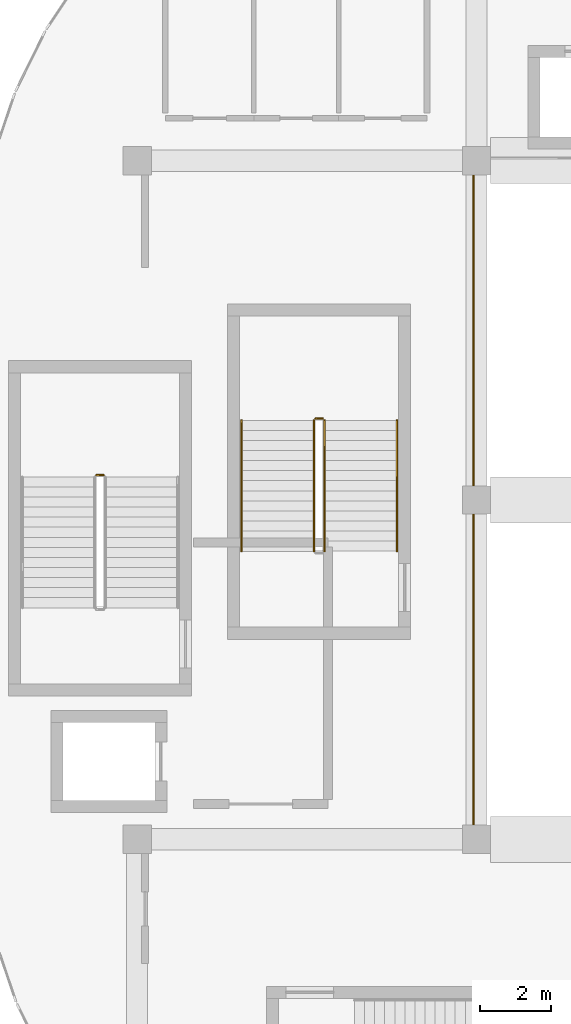
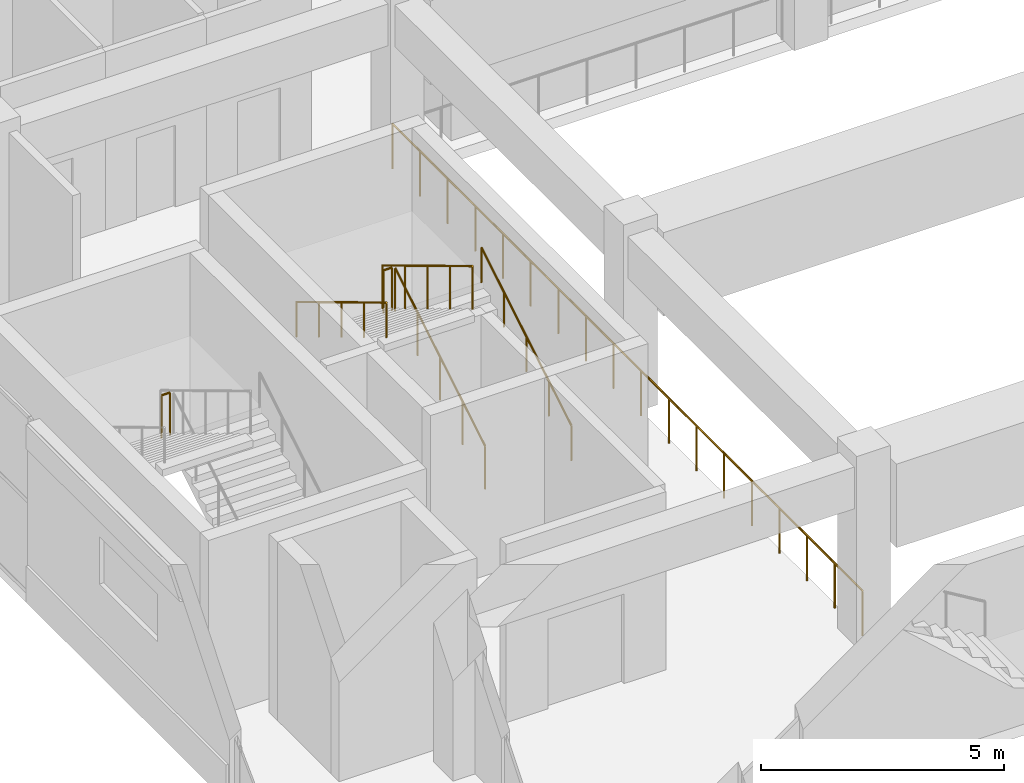
# One storey, part 28 of 33: 7 railings.
"""IFC4 building model written with IfcOpenShell, lengths in metres."""

from ifc_helpers import new_model, si_unit, direction, frame, origin, origin_2d, place, context, subcontext, project, spatial, circle, extrude, material, type_object, element, save


model = new_model("IFC4")

# Units and contexts
model_context = context("Model", 3, precision=1e-05, world=origin(), true_north=direction((0.0, 1.0)))
body_context = subcontext(model_context, "Body", "Model", "MODEL_VIEW")
ifc_project = project(units=[si_unit("LENGTHUNIT", "METRE"), si_unit("AREAUNIT", "SQUARE_METRE"), si_unit("VOLUMEUNIT", "CUBIC_METRE"), si_unit("PLANEANGLEUNIT", "RADIAN"), si_unit("MASSUNIT", "GRAM", prefix="KILO")], contexts=[model_context])

# Site, building, storey
site_placement = place(None, origin())
site = spatial("IfcSite", under=ifc_project, at=site_placement, CompositionType="ELEMENT")
building_placement = place(site_placement, origin())
building = spatial("IfcBuilding", under=site, at=building_placement, Name="Cendralis Terraced Arcade", CompositionType="ELEMENT")
storey_placement = place(building_placement, frame((0.0, 0.0, 19.800048828125)))
storey = spatial("IfcBuildingStorey", under=building, at=storey_placement, Name="L04", CompositionType="ELEMENT", Elevation=19.800048828125)

# Railings
ifc_material = material(Name="Brushed stainless steel AISI 316", Category="steel")
railing_type_1 = type_object("IfcRailingType", Name="RL-STAIR-GUARD-1100", PredefinedType="GUARDRAIL", material=ifc_material)
railing_1_placement = place(storey_placement, frame((8.64990234375, 29.5048828125, 2.39990234375)))
element("IfcRailing", 1, at=railing_1_placement, inside=storey, type_object=railing_type_1, Name="L04 ST-01 stair guard 2", PredefinedType="GUARDRAIL", context=body_context, shape_type="SweptSolid", body=[
    extrude(circle(Radius=0.02392578125, at=origin_2d()), frame((0.0, 0.0, 1.076171875), z_axis=(-1.0, 0.0, 0.0), x_axis=(0.0, -1.0, 0.0)), (0.0, 0.0, 1.0), 0.199951171875),
    extrude(circle(Radius=0.02099609375, at=origin_2d()), origin(), (0.0, 0.0, 1.0), 1.052001953125),
    extrude(circle(Radius=0.02099609375, at=origin_2d()), frame((-0.199951171875, 0.0, 0.0)), (0.0, 0.0, 1.0), 1.052001953125),
])
railing_2_placement = place(storey_placement, frame((14.89990234375, 27.35009765625, 0.17138671875)))
element("IfcRailing", 2, at=railing_2_placement, inside=storey, type_object=railing_type_1, Name="L04 ST-05 stair guard 1", PredefinedType="GUARDRAIL", context=body_context, shape_type="SweptSolid", body=[
    extrude(circle(Radius=0.02392578125, at=origin_2d()), frame((0.0, 0.0, 1.076171875), z_axis=(0.0, 0.856919398105, 0.515450429384), x_axis=(-1.0, 0.0, 0.0)), (0.0, 0.0, 1.0), 4.323486328125),
    extrude(circle(Radius=0.02099609375, at=origin_2d()), origin(), (0.0, 0.0, 1.0), 1.052001953125),
    extrude(circle(Radius=0.02099609375, at=origin_2d()), frame((0.0, 0.92626953125, 0.55712890625)), (0.0, 0.0, 1.0), 1.052001953125),
    extrude(circle(Radius=0.02099609375, at=origin_2d()), frame((0.0, 1.8525390625, 1.1142578125)), (0.0, 0.0, 1.0), 1.052001953125),
    extrude(circle(Radius=0.02099609375, at=origin_2d()), frame((0.0, 2.778564453125, 1.67138671875)), (0.0, 0.0, 1.0), 1.052001953125),
    extrude(circle(Radius=0.02099609375, at=origin_2d()), frame((0.0, 3.704833984375, 2.228515625)), (0.0, 0.0, 1.0), 1.052001953125),
])
railing_3_placement = place(storey_placement, frame((14.85009765625, 31.10498046875, 2.39990234375)))
element("IfcRailing", 3, at=railing_3_placement, inside=storey, type_object=railing_type_1, Name="L04 ST-05 stair guard 2", PredefinedType="GUARDRAIL", context=body_context, shape_type="SweptSolid", body=[
    extrude(circle(Radius=0.02392578125, at=origin_2d()), frame((0.0, 0.0, 1.076171875), z_axis=(-1.0, 0.0, 0.0), x_axis=(0.0, -1.0, 0.0)), (0.0, 0.0, 1.0), 0.2001953125),
    extrude(circle(Radius=0.02099609375, at=origin_2d()), origin(), (0.0, 0.0, 1.0), 1.052001953125),
    extrude(circle(Radius=0.02099609375, at=origin_2d()), frame((-0.2001953125, 0.0, 0.0)), (0.0, 0.0, 1.0), 1.052001953125),
])
railing_4_placement = place(storey_placement, frame((14.60009765625, 31.054931640625, 2.5712890625)))
element("IfcRailing", 4, at=railing_4_placement, inside=storey, type_object=railing_type_1, Name="L04 ST-05 stair guard 3", PredefinedType="GUARDRAIL", context=body_context, shape_type="SweptSolid", body=[
    extrude(circle(Radius=0.02392578125, at=origin_2d()), frame((0.0, 0.0, 1.076171875), z_axis=(0.0, -0.856894455432, 0.515491893485), x_axis=(1.0, 0.0, 0.0)), (0.0, 0.0, 1.0), 4.323486328125),
    extrude(circle(Radius=0.02099609375, at=origin_2d()), origin(), (0.0, 0.0, 1.0), 1.052001953125),
    extrude(circle(Radius=0.02099609375, at=origin_2d()), frame((0.0, -0.92626953125, 0.55712890625)), (0.0, 0.0, 1.0), 1.052001953125),
    extrude(circle(Radius=0.02099609375, at=origin_2d()), frame((0.0, -1.8525390625, 1.1142578125)), (0.0, 0.0, 1.0), 1.052001953125),
    extrude(circle(Radius=0.02099609375, at=origin_2d()), frame((0.0, -2.778564453125, 1.671630859375)), (0.0, 0.0, 1.0), 1.052001953125),
    extrude(circle(Radius=0.02099609375, at=origin_2d()), frame((0.0, -3.704833984375, 2.228759765625)), (0.0, 0.0, 1.0), 1.052001953125),
])
railing_type_2 = type_object("IfcRailingType", Name="RL-STAIR-HAND-900", PredefinedType="HANDRAIL", material=ifc_material)
railing_5_placement = place(storey_placement, frame((16.949951171875, 27.35009765625, 0.17138671875)))
element("IfcRailing", 5, at=railing_5_placement, inside=storey, type_object=railing_type_2, Name="L04 ST-05 stair handrail 1", PredefinedType="HANDRAIL", context=body_context, shape_type="SweptSolid", body=[
    extrude(circle(Radius=0.02392578125, at=origin_2d()), frame((0.0, 0.0, 0.8759765625), z_axis=(0.0, 0.856919398105, 0.515450429384), x_axis=(-1.0, 0.0, 0.0)), (0.0, 0.0, 1.0), 4.323486328125),
    extrude(circle(Radius=0.02099609375, at=origin_2d()), origin(), (0.0, 0.0, 1.0), 0.851806640625),
    extrude(circle(Radius=0.02099609375, at=origin_2d()), frame((0.0, 0.92626953125, 0.55712890625)), (0.0, 0.0, 1.0), 0.851806640625),
    extrude(circle(Radius=0.02099609375, at=origin_2d()), frame((0.0, 1.8525390625, 1.1142578125)), (0.0, 0.0, 1.0), 0.851806640625),
    extrude(circle(Radius=0.02099609375, at=origin_2d()), frame((0.0, 2.778564453125, 1.67138671875)), (0.0, 0.0, 1.0), 0.851806640625),
    extrude(circle(Radius=0.02099609375, at=origin_2d()), frame((0.0, 3.704833984375, 2.228515625)), (0.0, 0.0, 1.0), 0.851806640625),
])
railing_6_placement = place(storey_placement, frame((12.550048828125, 31.054931640625, 2.5712890625)))
element("IfcRailing", 6, at=railing_6_placement, inside=storey, type_object=railing_type_2, Name="L04 ST-05 stair handrail 2", PredefinedType="HANDRAIL", context=body_context, shape_type="SweptSolid", body=[
    extrude(circle(Radius=0.02392578125, at=origin_2d()), frame((0.0, 0.0, 0.8759765625), z_axis=(0.0, -0.856894455432, 0.515491893485), x_axis=(1.0, 0.0, 0.0)), (0.0, 0.0, 1.0), 4.323486328125),
    extrude(circle(Radius=0.02099609375, at=origin_2d()), origin(), (0.0, 0.0, 1.0), 0.851806640625),
    extrude(circle(Radius=0.02099609375, at=origin_2d()), frame((0.0, -0.92626953125, 0.55712890625)), (0.0, 0.0, 1.0), 0.851806640625),
    extrude(circle(Radius=0.02099609375, at=origin_2d()), frame((0.0, -1.8525390625, 1.1142578125)), (0.0, 0.0, 1.0), 0.851806640625),
    extrude(circle(Radius=0.02099609375, at=origin_2d()), frame((0.0, -2.778564453125, 1.671630859375)), (0.0, 0.0, 1.0), 0.851806640625),
    extrude(circle(Radius=0.02099609375, at=origin_2d()), frame((0.0, -3.704833984375, 2.228759765625)), (0.0, 0.0, 1.0), 0.851806640625),
])
railing_type_3 = type_object("IfcRailingType", Name="RL-VOID-BAL-1150", PredefinedType="BALUSTRADE", material=ifc_material)
railing_7_placement = place(storey_placement, frame((19.1201171875, 38.47998046875, 0.0)))
element("IfcRailing", 7, at=railing_7_placement, inside=storey, type_object=railing_type_3, Name="Atrium and Arcade Gallery Balustrade L04-068", PredefinedType="BALUSTRADE", context=body_context, shape_type="SweptSolid", body=[
    extrude(circle(Radius=0.02392578125, at=origin_2d()), frame((0.0, 0.0, 1.1259765625), z_axis=(0.0, -1.0, 0.0), x_axis=(1.0, 0.0, 0.0)), (0.0, 0.0, 1.0), 19.35986328125),
    extrude(circle(Radius=0.02099609375, at=origin_2d()), origin(), (0.0, 0.0, 1.0), 1.101806640625),
    extrude(circle(Radius=0.02099609375, at=origin_2d()), frame((0.0, -1.138916015625, 0.0)), (0.0, 0.0, 1.0), 1.101806640625),
    extrude(circle(Radius=0.02099609375, at=origin_2d()), frame((0.0, -2.277587890625, 0.0)), (0.0, 0.0, 1.0), 1.101806640625),
    extrude(circle(Radius=0.02099609375, at=origin_2d()), frame((0.0, -3.41650390625, 0.0)), (0.0, 0.0, 1.0), 1.101806640625),
    extrude(circle(Radius=0.02099609375, at=origin_2d()), frame((0.0, -4.55517578125, 0.0)), (0.0, 0.0, 1.0), 1.101806640625),
    extrude(circle(Radius=0.02099609375, at=origin_2d()), frame((0.0, -5.694091796875, 0.0)), (0.0, 0.0, 1.0), 1.101806640625),
    extrude(circle(Radius=0.02099609375, at=origin_2d()), frame((0.0, -6.8330078125, 0.0)), (0.0, 0.0, 1.0), 1.101806640625),
    extrude(circle(Radius=0.02099609375, at=origin_2d()), frame((0.0, -7.9716796875, 0.0)), (0.0, 0.0, 1.0), 1.101806640625),
    extrude(circle(Radius=0.02099609375, at=origin_2d()), frame((0.0, -9.110595703125, 0.0)), (0.0, 0.0, 1.0), 1.101806640625),
    extrude(circle(Radius=0.02099609375, at=origin_2d()), frame((0.0, -10.249267578125, 0.0)), (0.0, 0.0, 1.0), 1.101806640625),
    extrude(circle(Radius=0.02099609375, at=origin_2d()), frame((0.0, -11.38818359375, 0.0)), (0.0, 0.0, 1.0), 1.101806640625),
    extrude(circle(Radius=0.02099609375, at=origin_2d()), frame((0.0, -12.52685546875, 0.0)), (0.0, 0.0, 1.0), 1.101806640625),
    extrude(circle(Radius=0.02099609375, at=origin_2d()), frame((0.0, -13.665771484375, 0.0)), (0.0, 0.0, 1.0), 1.101806640625),
    extrude(circle(Radius=0.02099609375, at=origin_2d()), frame((0.0, -14.8046875, 0.0)), (0.0, 0.0, 1.0), 1.101806640625),
    extrude(circle(Radius=0.02099609375, at=origin_2d()), frame((0.0, -15.943359375, 0.0)), (0.0, 0.0, 1.0), 1.101806640625),
    extrude(circle(Radius=0.02099609375, at=origin_2d()), frame((0.0, -17.082275390625, 0.0)), (0.0, 0.0, 1.0), 1.101806640625),
    extrude(circle(Radius=0.02099609375, at=origin_2d()), frame((0.0, -18.220947265625, 0.0)), (0.0, 0.0, 1.0), 1.101806640625),
    extrude(circle(Radius=0.02099609375, at=origin_2d()), frame((0.0, -19.35986328125, 0.0)), (0.0, 0.0, 1.0), 1.101806640625),
])

save(model, "model.ifc")
